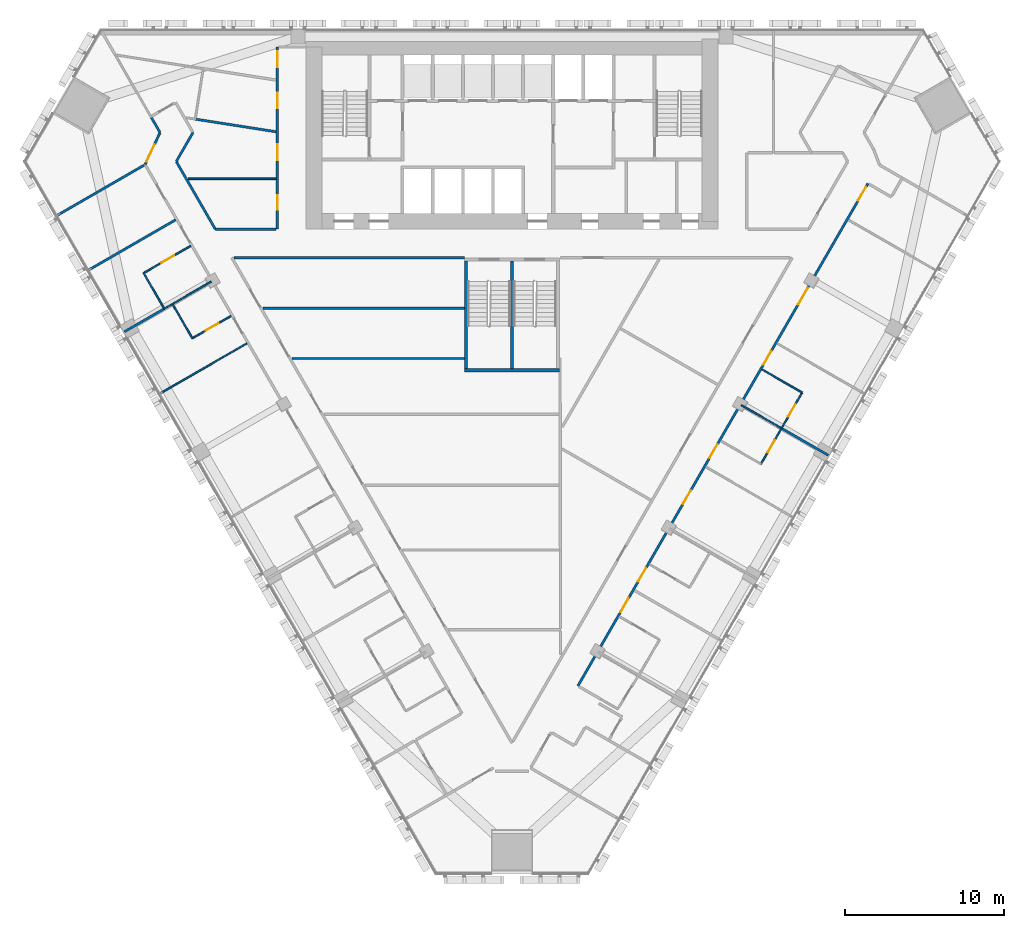
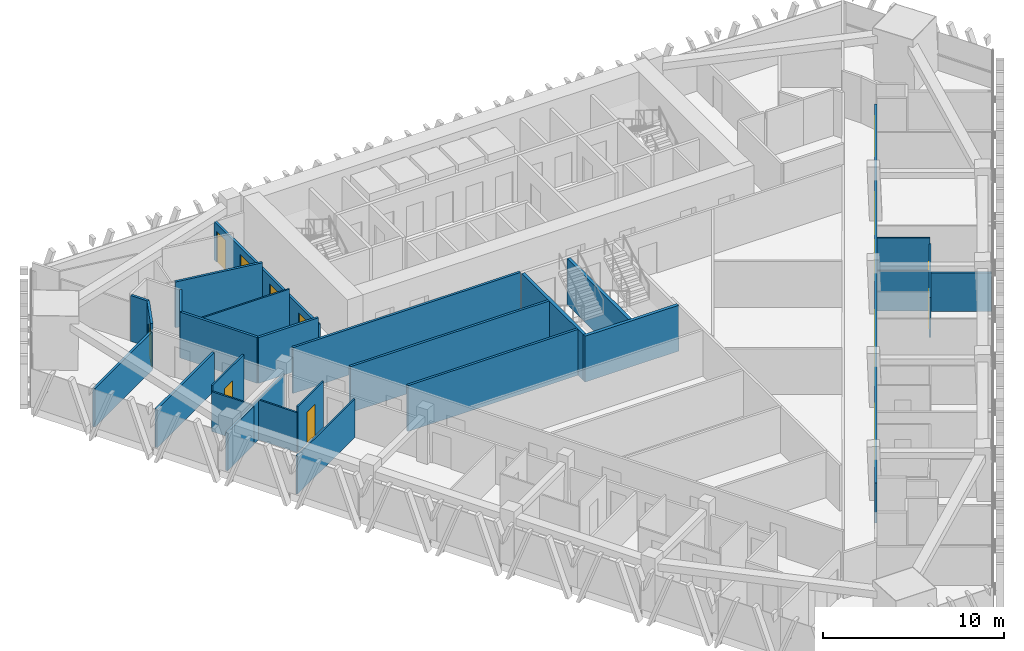
# One storey, part 12 of 18: 28 walls, 16 doors, 16 openings.
"""IFC4 building model written with IfcOpenShell, lengths in metres."""

from ifc_helpers import new_model, si_unit, direction, frame, frame_2d, origin, place, context, subcontext, project, spatial, rectangle, extrude, material, layer, layer_set, type_object, element, fill, save


model = new_model("IFC4")

# Units and contexts
model_context = context("Model", 3, precision=1e-05, world=origin(), true_north=direction((0.0, 1.0)))
body_context = subcontext(model_context, "Body", "Model", "MODEL_VIEW")
ifc_project = project(units=[si_unit("LENGTHUNIT", "METRE"), si_unit("AREAUNIT", "SQUARE_METRE"), si_unit("VOLUMEUNIT", "CUBIC_METRE"), si_unit("PLANEANGLEUNIT", "RADIAN"), si_unit("MASSUNIT", "GRAM", prefix="KILO")], contexts=[model_context])

# Site, building, storey
site_placement = place(None, origin())
site = spatial("IfcSite", under=ifc_project, at=site_placement, CompositionType="ELEMENT")
building_placement = place(site_placement, origin())
building = spatial("IfcBuilding", under=site, at=building_placement, Name="Altiplano Prism Tower", CompositionType="ELEMENT")
storey_placement = place(building_placement, frame((0.0, 0.0, 45.0)))
storey = spatial("IfcBuildingStorey", under=building, at=storey_placement, Name="L10", CompositionType="ELEMENT", Elevation=45.0)

# Wall
ifc_material_1 = material(Name="Plasterboard on steel stud", Category="steel")
ifc_layer_1 = layer(ifc_material_1, 0.10009765625)
ifc_layer_set_1 = layer_set([ifc_layer_1], Name="Plasterboard on steel stud")
wall_type_1 = type_object("IfcWallType", Name="Partition 100 unit", PredefinedType="PARTITIONING", material=ifc_layer_set_1)
wall_1_placement = place(storey_placement, frame((63.02392578125, 87.448974609375, 0.0), z_axis=(0.0, 0.0, 1.0), x_axis=(-0.499976333282, 0.866039067339, 0.0)))
element("IfcWall", 1, at=wall_1_placement, inside=storey, type_object=wall_type_1, Name="Partition P02 L10 056", PredefinedType="PARTITIONING", context=body_context, shape_type="SweptSolid", body=[
    extrude(rectangle(XDim=2.52490234375, YDim=0.10009765625, at=frame_2d((1.262451171875, 0.0))), origin(), (0.0, 0.0, 1.0), 2.699951171875),
])

# Wall, opening, door
wall_2_placement = place(storey_placement, frame((61.761474609375, 89.6357421875, 0.0), z_axis=(0.0, 0.0, 1.0), x_axis=(0.866032454348, 0.499987787867, 0.0)))
wall_2 = element("IfcWall", 2, at=wall_2_placement, inside=storey, type_object=wall_type_1, Name="Partition P02 L10 057", PredefinedType="PARTITIONING", context=body_context, shape_type="SweptSolid", body=[
    extrude(rectangle(XDim=3.4248046875, YDim=0.10009765625, at=frame_2d((1.71240234375, 0.0))), origin(), (0.0, 0.0, 1.0), 3.10009765625),
])
opening_1_placement = place(wall_2_placement, frame((1.300048828125, 0.0, 0.0)))
opening_1 = element("IfcOpeningElement", 3, at=opening_1_placement, cuts=wall_2, Name="Opening D0379", PredefinedType="OPENING", context=body_context, shape_type="SweptSolid", body=[
    extrude(rectangle(XDim=0.89990234375, YDim=2.10009765625, at=frame_2d((0.449951171875, 1.050048828125))), frame((0.0, 0.060546875, 0.0), z_axis=(0.0, -1.0, 0.0), x_axis=(1.0, 0.0, 0.0)), (0.0, 0.0, 1.0), 0.12109375),
])
ifc_material_2 = material(Name="Timber", Category="wood")
door_type_1 = type_object("IfcDoorType", Name="Accessible ensuite door 900 x 2100", OperationType="NOTDEFINED", PredefinedType="NOTDEFINED", material=ifc_material_2)
door_1_placement = place(opening_1_placement, origin())
door_1 = element("IfcDoor", 4, at=door_1_placement, inside=storey, type_object=door_type_1, Name="Door D0379", OperationType="SINGLE_SWING_RIGHT", OverallHeight=2.10009765625, OverallWidth=0.89990234375, PredefinedType="NOTDEFINED", context=body_context, shape_type="SweptSolid", body=[
    extrude(rectangle(XDim=0.89990234375, YDim=2.10009765625, at=frame_2d((0.449951171875, 1.050048828125))), frame((0.0, 0.02490234375, 0.0), z_axis=(0.0, -1.0, 0.0), x_axis=(1.0, 0.0, 0.0)), (0.0, 0.0, 1.0), 0.050048828125),
])
fill(opening_1, door_1)

wall_3_placement = place(storey_placement, frame((67.277587890625, 86.931396484375, 0.0), z_axis=(0.0, 0.0, 1.0), x_axis=(-0.866048868473, -0.499959355765, 0.0)))
wall_3 = element("IfcWall", 5, at=wall_3_placement, inside=storey, type_object=wall_type_1, Name="Partition P02 L10 060", PredefinedType="PARTITIONING", context=body_context, shape_type="SweptSolid", body=[
    extrude(rectangle(XDim=2.824951171875, YDim=0.10009765625, at=frame_2d((1.41259765625, 0.0))), origin(), (0.0, 0.0, 1.0), 3.10009765625),
])
opening_2_placement = place(wall_3_placement, frame((0.925048828125, 0.0, 0.0)))
opening_2 = element("IfcOpeningElement", 6, at=opening_2_placement, cuts=wall_3, Name="Opening D0381", PredefinedType="OPENING", context=body_context, shape_type="SweptSolid", body=[
    extrude(rectangle(XDim=0.89990234375, YDim=2.10009765625, at=frame_2d((0.449951171875, 1.050048828125))), frame((0.0, 0.060546875, 0.0), z_axis=(0.0, -1.0, 0.0), x_axis=(1.0, 0.0, 0.0)), (0.0, 0.0, 1.0), 0.12109375),
])
door_type_2 = type_object("IfcDoorType", Name="Ensuite door 900 x 2100", OperationType="NOTDEFINED", PredefinedType="NOTDEFINED", material=ifc_material_2)
door_2_placement = place(opening_2_placement, origin())
door_2 = element("IfcDoor", 7, at=door_2_placement, inside=storey, type_object=door_type_2, Name="Door D0381", OperationType="SINGLE_SWING_LEFT", OverallHeight=2.10009765625, OverallWidth=0.89990234375, PredefinedType="NOTDEFINED", context=body_context, shape_type="SweptSolid", body=[
    extrude(rectangle(XDim=0.89990234375, YDim=2.10009765625, at=frame_2d((0.449951171875, 1.050048828125))), frame((0.0, 0.02490234375, 0.0), z_axis=(0.0, -1.0, 0.0), x_axis=(1.0, 0.0, 0.0)), (0.0, 0.0, 1.0), 0.050048828125),
])
fill(opening_2, door_2)

# Walls
wall_4_placement = place(storey_placement, frame((64.8310546875, 85.51904296875, 0.0), z_axis=(0.0, 0.0, 1.0), x_axis=(-0.499943856944, 0.866057815567, 0.0)))
element("IfcWall", 8, at=wall_4_placement, inside=storey, type_object=wall_type_1, Name="Partition P02 L10 061", PredefinedType="PARTITIONING", context=body_context, shape_type="SweptSolid", body=[
    extrude(rectangle(XDim=2.449951171875, YDim=0.10009765625, at=frame_2d((1.22509765625, 0.0))), origin(), (0.0, 0.0, 1.0), 2.699951171875),
])
wall_5_placement = place(storey_placement, frame((100.7724609375, 83.553955078125, 0.0), z_axis=(0.0, 0.0, 1.0), x_axis=(0.866025730634, -0.499999433879, 0.0)))
element("IfcWall", 9, at=wall_5_placement, inside=storey, type_object=wall_type_1, Name="Partition P02 L10 096", PredefinedType="PARTITIONING", context=body_context, shape_type="SweptSolid", body=[
    extrude(rectangle(XDim=2.9248046875, YDim=0.10009765625, at=frame_2d((1.46240234375, 0.0))), origin(), (0.0, 0.0, 1.0), 3.10009765625),
])

# Wall, openings, doors
wall_6_placement = place(storey_placement, frame((103.305419921875, 82.091552734375, 0.0), z_axis=(0.0, 0.0, 1.0), x_axis=(-0.499971721724, -0.866041729639, 0.0)))
wall_6 = element("IfcWall", 10, at=wall_6_placement, inside=storey, type_object=wall_type_1, Name="Partition P02 L10 097", PredefinedType="PARTITIONING", context=body_context, shape_type="SweptSolid", body=[
    extrude(rectangle(XDim=5.199951171875, YDim=0.10009765625, at=frame_2d((2.60009765625, 0.0))), origin(), (0.0, 0.0, 1.0), 2.699951171875),
])
opening_3_placement = place(wall_6_placement, frame((3.449951171875, 0.0, 0.0)))
opening_3 = element("IfcOpeningElement", 11, at=opening_3_placement, cuts=wall_6, Name="Opening D0402", PredefinedType="OPENING", context=body_context, shape_type="SweptSolid", body=[
    extrude(rectangle(XDim=0.89990234375, YDim=2.10009765625, at=frame_2d((0.449951171875, 1.050048828125))), frame((0.0, 0.060546875, 0.0), z_axis=(0.0, -1.0, 0.0), x_axis=(1.0, 0.0, 0.0)), (0.0, 0.0, 1.0), 0.12109375),
])
opening_4_placement = place(wall_6_placement, frame((0.85009765625, 0.0, 0.0)))
opening_4 = element("IfcOpeningElement", 12, at=opening_4_placement, cuts=wall_6, Name="Opening D0404", PredefinedType="OPENING", context=body_context, shape_type="SweptSolid", body=[
    extrude(rectangle(XDim=0.89990234375, YDim=2.10009765625, at=frame_2d((0.449951171875, 1.050048828125))), frame((0.0, 0.060546875, 0.0), z_axis=(0.0, -1.0, 0.0), x_axis=(1.0, 0.0, 0.0)), (0.0, 0.0, 1.0), 0.12109375),
])
door_3_placement = place(opening_3_placement, origin())
door_3 = element("IfcDoor", 13, at=door_3_placement, inside=storey, type_object=door_type_2, Name="Door D0402", OperationType="SINGLE_SWING_LEFT", OverallHeight=2.10009765625, OverallWidth=0.89990234375, PredefinedType="NOTDEFINED", context=body_context, shape_type="SweptSolid", body=[
    extrude(rectangle(XDim=0.89990234375, YDim=2.10009765625, at=frame_2d((0.449951171875, 1.050048828125))), frame((0.0, 0.02490234375, 0.0), z_axis=(0.0, -1.0, 0.0), x_axis=(1.0, 0.0, 0.0)), (0.0, 0.0, 1.0), 0.050048828125),
])
fill(opening_3, door_3)
door_4_placement = place(opening_4_placement, origin())
door_4 = element("IfcDoor", 14, at=door_4_placement, inside=storey, type_object=door_type_2, Name="Door D0404", OperationType="SINGLE_SWING_LEFT", OverallHeight=2.10009765625, OverallWidth=0.89990234375, PredefinedType="NOTDEFINED", context=body_context, shape_type="SweptSolid", body=[
    extrude(rectangle(XDim=0.89990234375, YDim=2.10009765625, at=frame_2d((0.449951171875, 1.050048828125))), frame((0.0, 0.02490234375, 0.0), z_axis=(0.0, -1.0, 0.0), x_axis=(1.0, 0.0, 0.0)), (0.0, 0.0, 1.0), 0.050048828125),
])
fill(opening_4, door_4)

# Walls
ifc_layer_2 = layer(ifc_material_1, 0.10009765625)
ifc_layer_set_2 = layer_set([ifc_layer_2], Name="Plasterboard on steel stud")
wall_type_2 = type_object("IfcWallType", Name="Partition 100 wet", PredefinedType="PARTITIONING", material=ifc_layer_set_2)
wall_7_placement = place(storey_placement, frame((70.125, 95.582763671875, 0.0), z_axis=(0.0, 0.0, 1.0), x_axis=(-1.0, 0.0, 0.0)))
element("IfcWall", 15, at=wall_7_placement, inside=storey, type_object=wall_type_2, Name="Partition P03 L10 049", PredefinedType="PARTITIONING", context=body_context, shape_type="SweptSolid", body=[
    extrude(rectangle(XDim=5.561767578125, YDim=0.10009765625, at=frame_2d((2.78076171875, 0.0))), origin(), (0.0, 0.0, 1.0), 3.10009765625),
])
wall_8_placement = place(storey_placement, frame((63.044189453125, 87.3740234375, 0.0), z_axis=(0.0, 0.0, 1.0), x_axis=(0.866001476168, 0.500041441558, 0.0)))
element("IfcWall", 16, at=wall_8_placement, inside=storey, type_object=wall_type_2, Name="Partition P03 L10 059", PredefinedType="PARTITIONING", context=body_context, shape_type="SweptSolid", body=[
    extrude(rectangle(XDim=3.445068359375, YDim=0.10009765625, at=frame_2d((1.72265625, 0.0))), origin(), (0.0, 0.0, 1.0), 2.699951171875),
])
wall_9_placement = place(storey_placement, frame((62.782470703125, 82.02685546875, 0.0), z_axis=(0.0, 0.0, 1.0), x_axis=(0.866025401434, 0.500000004071, 0.0)))
element("IfcWall", 17, at=wall_9_placement, inside=storey, type_object=wall_type_2, Name="Partition P03 L10 062", PredefinedType="PARTITIONING", context=body_context, shape_type="SweptSolid", body=[
    extrude(rectangle(XDim=6.34521484375, YDim=0.10009765625, at=frame_2d((3.172607421875, 0.0))), origin(), (0.0, 0.0, 1.0), 2.60009765625),
])
wall_10_placement = place(storey_placement, frame((101.962158203125, 79.86474609375, 0.0), z_axis=(0.0, 0.0, 1.0), x_axis=(-0.866018712932, 0.500011588718, 0.0)))
element("IfcWall", 18, at=wall_10_placement, inside=storey, type_object=wall_type_2, Name="Partition P03 L10 095", PredefinedType="PARTITIONING", context=body_context, shape_type="SweptSolid", body=[
    extrude(rectangle(XDim=2.875, YDim=0.10009765625, at=frame_2d((1.4375, 0.0))), origin(), (0.0, 0.0, 1.0), 2.699951171875),
])
ifc_layer_3 = layer(ifc_material_1, 0.14990234375)
ifc_layer_set_3 = layer_set([ifc_layer_3], Name="Plasterboard on steel stud")
wall_type_3 = type_object("IfcWallType", Name="Partition 150 corridor", PredefinedType="PARTITIONING", material=ifc_layer_set_3)
wall_11_placement = place(storey_placement, frame((70.125, 92.39990234375, 0.0), z_axis=(0.0, 0.0, 1.0), x_axis=(-1.0, 0.0, 0.0)))
element("IfcWall", 19, at=wall_11_placement, inside=storey, type_object=wall_type_3, Name="Partition P06 L10 002", PredefinedType="PARTITIONING", context=body_context, shape_type="SweptSolid", body=[
    extrude(rectangle(XDim=3.839599609375, YDim=0.14990234375, at=frame_2d((1.919921875, 0.0))), origin(), (0.0, 0.0, 1.0), 3.10009765625),
])
wall_12_placement = place(storey_placement, frame((66.285400390625, 92.39990234375, 0.0), z_axis=(0.0, 0.0, 1.0), x_axis=(-0.499986575203, 0.866033154456, 0.0)))
element("IfcWall", 20, at=wall_12_placement, inside=storey, type_object=wall_type_3, Name="Partition P06 L10 003", PredefinedType="PARTITIONING", context=body_context, shape_type="SweptSolid", body=[
    extrude(rectangle(XDim=4.934326171875, YDim=0.14990234375, at=frame_2d((2.46728515625, 0.0))), origin(), (0.0, 0.0, 1.0), 3.10009765625),
])

# Wall, openings, doors
wall_13_placement = place(storey_placement, frame((70.199951171875, 103.89990234375, 0.0), z_axis=(0.0, 0.0, 1.0), x_axis=(0.0, -1.0, 0.0)))
wall_13 = element("IfcWall", 21, at=wall_13_placement, inside=storey, type_object=wall_type_3, Name="Partition P06 L10 004", PredefinedType="PARTITIONING", context=body_context, shape_type="SweptSolid", body=[
    extrude(rectangle(XDim=11.5, YDim=0.14990234375, at=frame_2d((5.75, 0.0))), origin(), (0.0, 0.0, 1.0), 2.60009765625),
])
opening_5_placement = place(wall_13_placement, frame((9.35791015625, 0.0, 0.0)))
opening_5 = element("IfcOpeningElement", 22, at=opening_5_placement, cuts=wall_13, Name="Opening D0373", PredefinedType="OPENING", context=body_context, shape_type="SweptSolid", body=[
    extrude(rectangle(XDim=0.89990234375, YDim=2.10009765625, at=frame_2d((0.449951171875, 1.050048828125))), frame((0.0, 0.08544921875, 0.0), z_axis=(0.0, -1.0, 0.0), x_axis=(1.0, 0.0, 0.0)), (0.0, 0.0, 1.0), 0.1708984375),
])
opening_6_placement = place(wall_13_placement, frame((2.875, 0.0, 0.0)))
opening_6 = element("IfcOpeningElement", 23, at=opening_6_placement, cuts=wall_13, Name="Opening D0374", PredefinedType="OPENING", context=body_context, shape_type="SweptSolid", body=[
    extrude(rectangle(XDim=1.0, YDim=2.10009765625, at=frame_2d((0.5, 1.050048828125))), frame((0.0, 0.08544921875, 0.0), z_axis=(0.0, -1.0, 0.0), x_axis=(1.0, 0.0, 0.0)), (0.0, 0.0, 1.0), 0.1708984375),
])
opening_7_placement = place(wall_13_placement, frame((6.14501953125, 0.0, 0.0)))
opening_7 = element("IfcOpeningElement", 24, at=opening_7_placement, cuts=wall_13, Name="Opening D0375", PredefinedType="OPENING", context=body_context, shape_type="SweptSolid", body=[
    extrude(rectangle(XDim=1.0, YDim=2.10009765625, at=frame_2d((0.5, 1.050048828125))), frame((0.0, 0.08544921875, 0.0), z_axis=(0.0, -1.0, 0.0), x_axis=(1.0, 0.0, 0.0)), (0.0, 0.0, 1.0), 0.1708984375),
])
opening_8_placement = place(wall_13_placement, frame((0.27587890625, 0.0, 0.0)))
opening_8 = element("IfcOpeningElement", 25, at=opening_8_placement, cuts=wall_13, Name="Opening D0420", PredefinedType="OPENING", context=body_context, shape_type="SweptSolid", body=[
    extrude(rectangle(XDim=1.0, YDim=2.10009765625, at=frame_2d((0.5, 1.050048828125))), frame((0.0, 0.08544921875, 0.0), z_axis=(0.0, -1.0, 0.0), x_axis=(1.0, 0.0, 0.0)), (0.0, 0.0, 1.0), 0.1708984375),
])
door_type_3 = type_object("IfcDoorType", Name="Store door 1000 x 2100", OperationType="NOTDEFINED", PredefinedType="NOTDEFINED", material=ifc_material_2)
door_5_placement = place(opening_6_placement, origin())
door_5 = element("IfcDoor", 26, at=door_5_placement, inside=storey, type_object=door_type_3, Name="Door D0374", OperationType="SINGLE_SWING_RIGHT", OverallHeight=2.10009765625, OverallWidth=1.0, PredefinedType="NOTDEFINED", context=body_context, shape_type="SweptSolid", body=[
    extrude(rectangle(XDim=1.0, YDim=2.10009765625, at=frame_2d((0.5, 1.050048828125))), frame((0.0, 0.02490234375, 0.0), z_axis=(0.0, -1.0, 0.0), x_axis=(1.0, 0.0, 0.0)), (0.0, 0.0, 1.0), 0.050048828125),
])
fill(opening_6, door_5)
door_6_placement = place(opening_7_placement, origin())
door_6 = element("IfcDoor", 27, at=door_6_placement, inside=storey, type_object=door_type_3, Name="Door D0375", OperationType="SINGLE_SWING_LEFT", OverallHeight=2.10009765625, OverallWidth=1.0, PredefinedType="NOTDEFINED", context=body_context, shape_type="SweptSolid", body=[
    extrude(rectangle(XDim=1.0, YDim=2.10009765625, at=frame_2d((0.5, 1.050048828125))), frame((0.0, 0.02490234375, 0.0), z_axis=(0.0, -1.0, 0.0), x_axis=(1.0, 0.0, 0.0)), (0.0, 0.0, 1.0), 0.050048828125),
])
fill(opening_7, door_6)
door_7_placement = place(opening_8_placement, origin())
door_7 = element("IfcDoor", 28, at=door_7_placement, inside=storey, type_object=door_type_3, Name="Door D0420", OperationType="SINGLE_SWING_RIGHT", OverallHeight=2.10009765625, OverallWidth=1.0, PredefinedType="NOTDEFINED", context=body_context, shape_type="SweptSolid", body=[
    extrude(rectangle(XDim=1.0, YDim=2.10009765625, at=frame_2d((0.5, 1.050048828125))), frame((0.0, 0.02490234375, 0.0), z_axis=(0.0, -1.0, 0.0), x_axis=(1.0, 0.0, 0.0)), (0.0, 0.0, 1.0), 0.050048828125),
])
fill(opening_8, door_7)
door_type_4 = type_object("IfcDoorType", Name="Toilet door 900 x 2100", OperationType="NOTDEFINED", PredefinedType="NOTDEFINED", material=ifc_material_2)
door_8_placement = place(opening_5_placement, origin())
door_8 = element("IfcDoor", 29, at=door_8_placement, inside=storey, type_object=door_type_4, Name="Door D0373", OperationType="SINGLE_SWING_LEFT", OverallHeight=2.10009765625, OverallWidth=0.89990234375, PredefinedType="NOTDEFINED", context=body_context, shape_type="SweptSolid", body=[
    extrude(rectangle(XDim=0.89990234375, YDim=2.10009765625, at=frame_2d((0.449951171875, 1.050048828125))), frame((0.0, 0.02490234375, 0.0), z_axis=(0.0, -1.0, 0.0), x_axis=(1.0, 0.0, 0.0)), (0.0, 0.0, 1.0), 0.050048828125),
])
fill(opening_5, door_8)

# Walls
wall_14_placement = place(storey_placement, frame((63.818359375, 96.673095703125, 0.0), z_axis=(0.0, 0.0, 1.0), x_axis=(0.500059708758, 0.865990928173, 0.0)))
element("IfcWall", 30, at=wall_14_placement, inside=storey, type_object=wall_type_3, Name="Partition P06 L10 005", PredefinedType="PARTITIONING", context=body_context, shape_type="SweptSolid", body=[
    extrude(rectangle(XDim=2.109619140625, YDim=0.14990234375, at=frame_2d((1.0546875, 0.0))), origin(), (0.0, 0.0, 1.0), 3.10009765625),
])
wall_15_placement = place(storey_placement, frame((62.2548828125, 99.43505859375, 0.0), z_axis=(0.0, 0.0, 1.0), x_axis=(0.499957341738, -0.866050031143, 0.0)))
element("IfcWall", 31, at=wall_15_placement, inside=storey, type_object=wall_type_3, Name="Partition P06 L10 007", PredefinedType="PARTITIONING", context=body_context, shape_type="SweptSolid", body=[
    extrude(rectangle(XDim=1.07958984375, YDim=0.14990234375, at=frame_2d((0.539794921875, 0.0))), origin(), (0.0, 0.0, 1.0), 3.10009765625),
])

# Wall, opening, door
wall_16_placement = place(storey_placement, frame((62.794677734375, 98.5, 0.0), z_axis=(0.0, 0.0, 1.0), x_axis=(-0.422004773016, -0.906593608819, 0.0)))
wall_16 = element("IfcWall", 32, at=wall_16_placement, inside=storey, type_object=wall_type_3, Name="Partition P06 L10 008", PredefinedType="PARTITIONING", context=body_context, shape_type="SweptSolid", body=[
    extrude(rectangle(XDim=2.2314453125, YDim=0.14990234375, at=frame_2d((1.11572265625, 0.0))), origin(), (0.0, 0.0, 1.0), 3.10009765625),
])
opening_9_placement = place(wall_16_placement, frame((0.81591796875, 0.0, 0.0)))
opening_9 = element("IfcOpeningElement", 33, at=opening_9_placement, cuts=wall_16, Name="Opening D0376", PredefinedType="OPENING", context=body_context, shape_type="SweptSolid", body=[
    extrude(rectangle(XDim=1.199951171875, YDim=2.10009765625, at=frame_2d((0.60009765625, 1.050048828125))), frame((0.0, 0.08544921875, 0.0), z_axis=(0.0, -1.0, 0.0), x_axis=(1.0, 0.0, 0.0)), (0.0, 0.0, 1.0), 0.1708984375),
])
door_type_5 = type_object("IfcDoorType", Name="Shared room door 1200 x 2100", OperationType="NOTDEFINED", PredefinedType="NOTDEFINED", material=ifc_material_2)
door_9_placement = place(opening_9_placement, origin())
door_9 = element("IfcDoor", 34, at=door_9_placement, inside=storey, type_object=door_type_5, Name="Door D0376", OperationType="SINGLE_SWING_RIGHT", OverallHeight=2.10009765625, OverallWidth=1.199951171875, PredefinedType="NOTDEFINED", context=body_context, shape_type="SweptSolid", body=[
    extrude(rectangle(XDim=1.199951171875, YDim=2.10009765625, at=frame_2d((0.60009765625, 1.050048828125))), frame((0.0, 0.02490234375, 0.0), z_axis=(0.0, -1.0, 0.0), x_axis=(1.0, 0.0, 0.0)), (0.0, 0.0, 1.0), 0.050048828125),
])
fill(opening_9, door_9)

# Wall, openings, doors
wall_17_placement = place(storey_placement, frame((89.157470703125, 63.58642578125, 0.0), z_axis=(0.0, 0.0, 1.0), x_axis=(0.500000960059, 0.866024849493, 0.0)))
wall_17 = element("IfcWall", 35, at=wall_17_placement, inside=storey, type_object=wall_type_3, Name="Partition P06 L10 022", PredefinedType="PARTITIONING", context=body_context, shape_type="SweptSolid", body=[
    extrude(rectangle(XDim=36.60009765625, YDim=0.14990234375, at=frame_2d((18.300048828125, 0.0))), origin(), (0.0, 0.0, 1.0), 2.699951171875),
])
opening_10_placement = place(wall_17_placement, frame((5.39501953125, 0.0, 0.0)))
opening_10 = element("IfcOpeningElement", 36, at=opening_10_placement, cuts=wall_17, Name="Opening D0396", PredefinedType="OPENING", context=body_context, shape_type="SweptSolid", body=[
    extrude(rectangle(XDim=1.0, YDim=2.10009765625, at=frame_2d((0.5, 1.050048828125))), frame((0.0, 0.08544921875, 0.0), z_axis=(0.0, -1.0, 0.0), x_axis=(1.0, 0.0, 0.0)), (0.0, 0.0, 1.0), 0.1708984375),
])
opening_11_placement = place(wall_17_placement, frame((7.60498046875, 0.0, 0.0)))
opening_11 = element("IfcOpeningElement", 37, at=opening_11_placement, cuts=wall_17, Name="Opening D0398", PredefinedType="OPENING", context=body_context, shape_type="SweptSolid", body=[
    extrude(rectangle(XDim=1.0, YDim=2.10009765625, at=frame_2d((0.5, 1.050048828125))), frame((0.0, 0.08544921875, 0.0), z_axis=(0.0, -1.0, 0.0), x_axis=(1.0, 0.0, 0.0)), (0.0, 0.0, 1.0), 0.1708984375),
])
opening_12_placement = place(wall_17_placement, frame((13.25, 0.0, 0.0)))
opening_12 = element("IfcOpeningElement", 38, at=opening_12_placement, cuts=wall_17, Name="Opening D0400", PredefinedType="OPENING", context=body_context, shape_type="SweptSolid", body=[
    extrude(rectangle(XDim=1.0, YDim=2.10009765625, at=frame_2d((0.5, 1.050048828125))), frame((0.0, 0.08544921875, 0.0), z_axis=(0.0, -1.0, 0.0), x_axis=(1.0, 0.0, 0.0)), (0.0, 0.0, 1.0), 0.1708984375),
])
opening_13_placement = place(wall_17_placement, frame((16.60498046875, 0.0, 0.0)))
opening_13 = element("IfcOpeningElement", 39, at=opening_13_placement, cuts=wall_17, Name="Opening D0401", PredefinedType="OPENING", context=body_context, shape_type="SweptSolid", body=[
    extrude(rectangle(XDim=1.0, YDim=2.10009765625, at=frame_2d((0.5, 1.050048828125))), frame((0.0, 0.08544921875, 0.0), z_axis=(0.0, -1.0, 0.0), x_axis=(1.0, 0.0, 0.0)), (0.0, 0.0, 1.0), 0.1708984375),
])
opening_14_placement = place(wall_17_placement, frame((23.39501953125, 0.0, 0.0)))
opening_14 = element("IfcOpeningElement", 40, at=opening_14_placement, cuts=wall_17, Name="Opening D0403", PredefinedType="OPENING", context=body_context, shape_type="SweptSolid", body=[
    extrude(rectangle(XDim=1.0, YDim=2.10009765625, at=frame_2d((0.5, 1.050048828125))), frame((0.0, 0.08544921875, 0.0), z_axis=(0.0, -1.0, 0.0), x_axis=(1.0, 0.0, 0.0)), (0.0, 0.0, 1.0), 0.1708984375),
])
opening_15_placement = place(wall_17_placement, frame((27.800048828125, 0.0, 0.0)))
opening_15 = element("IfcOpeningElement", 41, at=opening_15_placement, cuts=wall_17, Name="Opening D0405", PredefinedType="OPENING", context=body_context, shape_type="SweptSolid", body=[
    extrude(rectangle(XDim=1.199951171875, YDim=2.10009765625, at=frame_2d((0.60009765625, 1.050048828125))), frame((0.0, 0.08544921875, 0.0), z_axis=(0.0, -1.0, 0.0), x_axis=(1.0, 0.0, 0.0)), (0.0, 0.0, 1.0), 0.1708984375),
])
opening_16_placement = place(wall_17_placement, frame((35.360107421875, 0.0, 0.0)))
opening_16 = element("IfcOpeningElement", 42, at=opening_16_placement, cuts=wall_17, Name="Opening D0406", PredefinedType="OPENING", context=body_context, shape_type="SweptSolid", body=[
    extrude(rectangle(XDim=1.0, YDim=2.10009765625, at=frame_2d((0.5, 1.050048828125))), frame((0.0, 0.08544921875, 0.0), z_axis=(0.0, -1.0, 0.0), x_axis=(1.0, 0.0, 0.0)), (0.0, 0.0, 1.0), 0.1708984375),
])
door_type_6 = type_object("IfcDoorType", Name="Bedroom entrance door 1000 x 2100", OperationType="NOTDEFINED", PredefinedType="NOTDEFINED", material=ifc_material_2)
door_10_placement = place(opening_10_placement, origin())
door_10 = element("IfcDoor", 43, at=door_10_placement, inside=storey, type_object=door_type_6, Name="Door D0396", OperationType="SINGLE_SWING_LEFT", OverallHeight=2.10009765625, OverallWidth=1.0, PredefinedType="NOTDEFINED", context=body_context, shape_type="SweptSolid", body=[
    extrude(rectangle(XDim=1.0, YDim=2.10009765625, at=frame_2d((0.5, 1.050048828125))), frame((0.0, 0.02490234375, 0.0), z_axis=(0.0, -1.0, 0.0), x_axis=(1.0, 0.0, 0.0)), (0.0, 0.0, 1.0), 0.050048828125),
])
fill(opening_10, door_10)
door_11_placement = place(opening_11_placement, origin())
door_11 = element("IfcDoor", 44, at=door_11_placement, inside=storey, type_object=door_type_6, Name="Door D0398", OperationType="SINGLE_SWING_RIGHT", OverallHeight=2.10009765625, OverallWidth=1.0, PredefinedType="NOTDEFINED", context=body_context, shape_type="SweptSolid", body=[
    extrude(rectangle(XDim=1.0, YDim=2.10009765625, at=frame_2d((0.5, 1.050048828125))), frame((0.0, 0.02490234375, 0.0), z_axis=(0.0, -1.0, 0.0), x_axis=(1.0, 0.0, 0.0)), (0.0, 0.0, 1.0), 0.050048828125),
])
fill(opening_11, door_11)
door_12_placement = place(opening_13_placement, origin())
door_12 = element("IfcDoor", 45, at=door_12_placement, inside=storey, type_object=door_type_6, Name="Door D0401", OperationType="SINGLE_SWING_RIGHT", OverallHeight=2.10009765625, OverallWidth=1.0, PredefinedType="NOTDEFINED", context=body_context, shape_type="SweptSolid", body=[
    extrude(rectangle(XDim=1.0, YDim=2.10009765625, at=frame_2d((0.5, 1.050048828125))), frame((0.0, 0.02490234375, 0.0), z_axis=(0.0, -1.0, 0.0), x_axis=(1.0, 0.0, 0.0)), (0.0, 0.0, 1.0), 0.050048828125),
])
fill(opening_13, door_12)
door_13_placement = place(opening_14_placement, origin())
door_13 = element("IfcDoor", 46, at=door_13_placement, inside=storey, type_object=door_type_6, Name="Door D0403", OperationType="SINGLE_SWING_LEFT", OverallHeight=2.10009765625, OverallWidth=1.0, PredefinedType="NOTDEFINED", context=body_context, shape_type="SweptSolid", body=[
    extrude(rectangle(XDim=1.0, YDim=2.10009765625, at=frame_2d((0.5, 1.050048828125))), frame((0.0, 0.02490234375, 0.0), z_axis=(0.0, -1.0, 0.0), x_axis=(1.0, 0.0, 0.0)), (0.0, 0.0, 1.0), 0.050048828125),
])
fill(opening_14, door_13)
door_type_7 = type_object("IfcDoorType", Name="Room door 1000 x 2100", OperationType="NOTDEFINED", PredefinedType="NOTDEFINED", material=ifc_material_2)
door_14_placement = place(opening_12_placement, origin())
door_14 = element("IfcDoor", 47, at=door_14_placement, inside=storey, type_object=door_type_7, Name="Door D0400", OperationType="SINGLE_SWING_RIGHT", OverallHeight=2.10009765625, OverallWidth=1.0, PredefinedType="NOTDEFINED", context=body_context, shape_type="SweptSolid", body=[
    extrude(rectangle(XDim=1.0, YDim=2.10009765625, at=frame_2d((0.5, 1.050048828125))), frame((0.0, 0.02490234375, 0.0), z_axis=(0.0, -1.0, 0.0), x_axis=(1.0, 0.0, 0.0)), (0.0, 0.0, 1.0), 0.050048828125),
])
fill(opening_12, door_14)
door_15_placement = place(opening_16_placement, origin())
door_15 = element("IfcDoor", 48, at=door_15_placement, inside=storey, type_object=door_type_7, Name="Door D0406", OperationType="SINGLE_SWING_RIGHT", OverallHeight=2.10009765625, OverallWidth=1.0, PredefinedType="NOTDEFINED", context=body_context, shape_type="SweptSolid", body=[
    extrude(rectangle(XDim=1.0, YDim=2.10009765625, at=frame_2d((0.5, 1.050048828125))), frame((0.0, 0.02490234375, 0.0), z_axis=(0.0, -1.0, 0.0), x_axis=(1.0, 0.0, 0.0)), (0.0, 0.0, 1.0), 0.050048828125),
])
fill(opening_16, door_15)
door_16_placement = place(opening_15_placement, origin())
door_16 = element("IfcDoor", 49, at=door_16_placement, inside=storey, type_object=door_type_5, Name="Door D0405", OperationType="SINGLE_SWING_RIGHT", OverallHeight=2.10009765625, OverallWidth=1.199951171875, PredefinedType="NOTDEFINED", context=body_context, shape_type="SweptSolid", body=[
    extrude(rectangle(XDim=1.199951171875, YDim=2.10009765625, at=frame_2d((0.60009765625, 1.050048828125))), frame((0.0, 0.02490234375, 0.0), z_axis=(0.0, -1.0, 0.0), x_axis=(1.0, 0.0, 0.0)), (0.0, 0.0, 1.0), 0.050048828125),
])
fill(opening_15, door_16)

# Walls
wall_18_placement = place(storey_placement, frame((67.45458984375, 90.60009765625, 0.0), z_axis=(0.0, 0.0, 1.0), x_axis=(0.999999997746, -6.7138877e-05, 0.0)))
element("IfcWall", 50, at=wall_18_placement, inside=storey, type_object=wall_type_3, Name="Partition P06 L10 035", PredefinedType="PARTITIONING", context=body_context, shape_type="SweptSolid", body=[
    extrude(rectangle(XDim=14.54541015625, YDim=0.14990234375, at=frame_2d((7.272705078125, 0.0))), origin(), (0.0, 0.0, 1.0), 3.10009765625),
])
ifc_layer_4 = layer(ifc_material_1, 0.14990234375)
ifc_layer_set_4 = layer_set([ifc_layer_4], Name="Plasterboard on steel stud")
wall_type_4 = type_object("IfcWallType", Name="Partition 150 party", PredefinedType="PARTITIONING", material=ifc_layer_set_4)
wall_19_placement = place(storey_placement, frame((64.998291015625, 99.349609375, 0.0), z_axis=(0.0, 0.0, 1.0), x_axis=(0.987958705643, -0.154717794531, 0.0)))
element("IfcWall", 51, at=wall_19_placement, inside=storey, type_object=wall_type_4, Name="Partition P01 L10 050", PredefinedType="PARTITIONING", context=body_context, shape_type="SweptSolid", body=[
    extrude(rectangle(XDim=5.17724609375, YDim=0.14990234375, at=frame_2d((2.588623046875, 0.0))), origin(), (0.0, 0.0, 1.0), 3.10009765625),
])
for number, where, z_axis, x_axis, name in (
    (52, (56.29296875, 93.26708984375, 0.0), (0.0, 0.0, 1.0), (0.866025401434, 0.500000004071, 0.0), "Partition P01 L10 053"),
    (53, (58.282470703125, 89.821044921875, 0.0), (0.0, 0.0, 1.0), (0.866025401434, 0.500000004071, 0.0), "Partition P01 L10 055"),
):
    element("IfcWall", number, at=place(storey_placement, frame(where, z_axis=z_axis, x_axis=x_axis)), inside=storey, type_object=wall_type_4, Name=name, PredefinedType="PARTITIONING", context=body_context, shape_type="SweptSolid", body=[
        extrude(rectangle(XDim=6.34521484375, YDim=0.14990234375, at=frame_2d((3.172607421875, 0.0))), origin(), (0.0, 0.0, 1.0), 2.60009765625),
    ])
wall_20_placement = place(storey_placement, frame((60.550048828125, 85.93408203125, 0.0), z_axis=(0.0, 0.0, 1.0), x_axis=(0.866032430508, 0.49998782916, 0.0)))
element("IfcWall", 54, at=wall_20_placement, inside=storey, type_object=wall_type_4, Name="Partition P01 L10 058", PredefinedType="PARTITIONING", context=body_context, shape_type="SweptSolid", body=[
    extrude(rectangle(XDim=2.919921875, YDim=0.14990234375, at=frame_2d((1.4599609375, 0.0))), origin(), (0.0, 0.0, 1.0), 2.60009765625),
])
wall_21_placement = place(storey_placement, frame((104.949951171875, 78.139892578125, 0.0), z_axis=(0.0, 0.0, 1.0), x_axis=(-0.866014461049, 0.500018952895, 0.0)))
element("IfcWall", 55, at=wall_21_placement, inside=storey, type_object=wall_type_4, Name="Partition P01 L10 094", PredefinedType="PARTITIONING", context=body_context, shape_type="SweptSolid", body=[
    extrude(rectangle(XDim=3.349853515625, YDim=0.14990234375, at=frame_2d((1.6748046875, 0.0))), origin(), (0.0, 0.0, 1.0), 2.60009765625),
])
wall_22_placement = place(storey_placement, frame((82.0, 84.24365234375, 0.0), z_axis=(0.0, 0.0, 1.0), x_axis=(-1.0, 0.0, 0.0)))
element("IfcWall", 56, at=wall_22_placement, inside=storey, type_object=wall_type_4, Name="Partition P01 L10 109", PredefinedType="PARTITIONING", context=body_context, shape_type="SweptSolid", body=[
    extrude(rectangle(XDim=10.87548828125, YDim=0.14990234375, at=frame_2d((5.437744140625, 0.0))), origin(), (0.0, 0.0, 1.0), 3.10009765625),
])
wall_23_placement = place(storey_placement, frame((69.289794921875, 87.42138671875, 0.0), z_axis=(0.0, 0.0, 1.0), x_axis=(1.0, 0.0, 0.0)))
element("IfcWall", 57, at=wall_23_placement, inside=storey, type_object=wall_type_4, Name="Partition P01 L10 112", PredefinedType="PARTITIONING", context=body_context, shape_type="SweptSolid", body=[
    extrude(rectangle(XDim=12.710205078125, YDim=0.14990234375, at=frame_2d((6.35498046875, 0.0))), origin(), (0.0, 0.0, 1.0), 3.10009765625),
])
ifc_material_3 = material(Name="Concrete C60/75", Category="concrete")
ifc_layer_5 = layer(ifc_material_3, 0.199951171875)
ifc_layer_set_5 = layer_set([ifc_layer_5], Name="Concrete C60/75")
wall_type_5 = type_object("IfcWallType", Name="Stair wall 200", PredefinedType="SOLIDWALL", material=ifc_layer_set_5)
wall_24_placement = place(storey_placement, frame((82.0, 83.5, 0.0), z_axis=(0.0, 0.0, 1.0), x_axis=(1.0, 0.0, 0.0)))
element("IfcWall", 58, at=wall_24_placement, inside=storey, type_object=wall_type_5, Name="Stair 3 wall south L10", PredefinedType="SOLIDWALL", context=body_context, shape_type="SweptSolid", body=[
    extrude(rectangle(XDim=6.0, YDim=0.199951171875, at=frame_2d((3.0, 0.0))), origin(), (0.0, 0.0, 1.0), 3.10009765625),
])
for number, where, z_axis, x_axis, name in (
    (59, (82.10009765625, 83.60009765625, 0.0), (0.0, 0.0, 1.0), (0.0, 1.0, 0.0), "Stair 3 wall west L10"),
    (60, (85.0, 83.60009765625, 0.0), (0.0, 0.0, 1.0), (0.0, 1.0, 0.0), "Stair 3 wall divider L10"),
):
    element("IfcWall", number, at=place(storey_placement, frame(where, z_axis=z_axis, x_axis=x_axis)), inside=storey, type_object=wall_type_5, Name=name, PredefinedType="SOLIDWALL", context=body_context, shape_type="SweptSolid", body=[
        extrude(rectangle(XDim=6.7998046875, YDim=0.199951171875, at=frame_2d((3.39990234375, 0.0))), origin(), (0.0, 0.0, 1.0), 3.10009765625),
    ])

save(model, "model.ifc")
